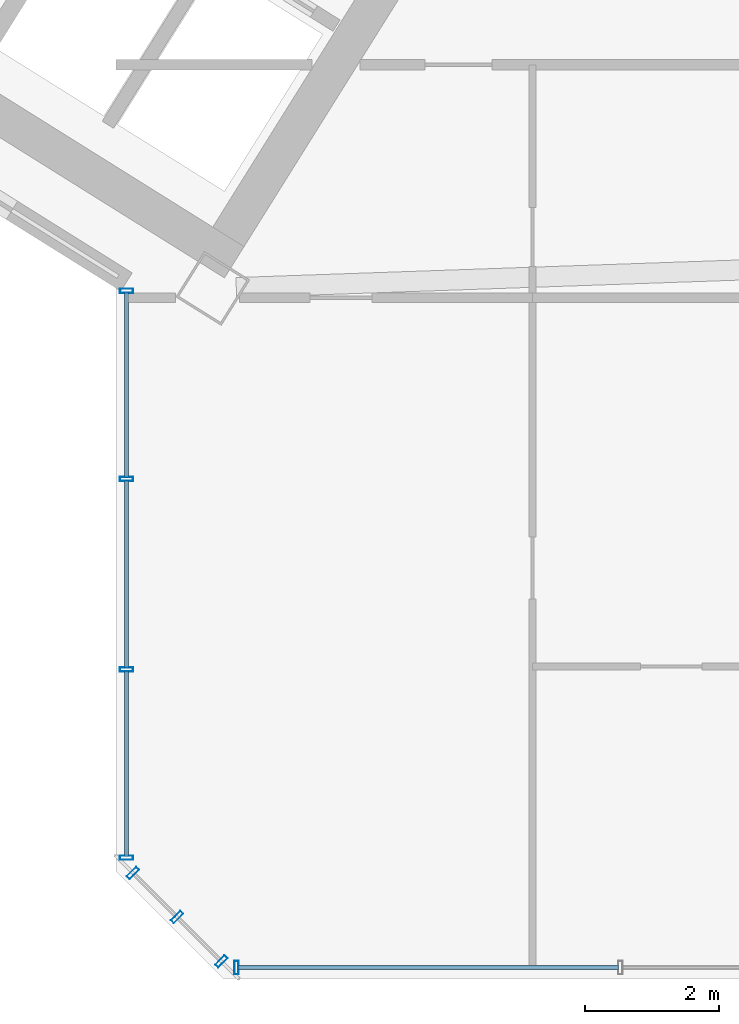
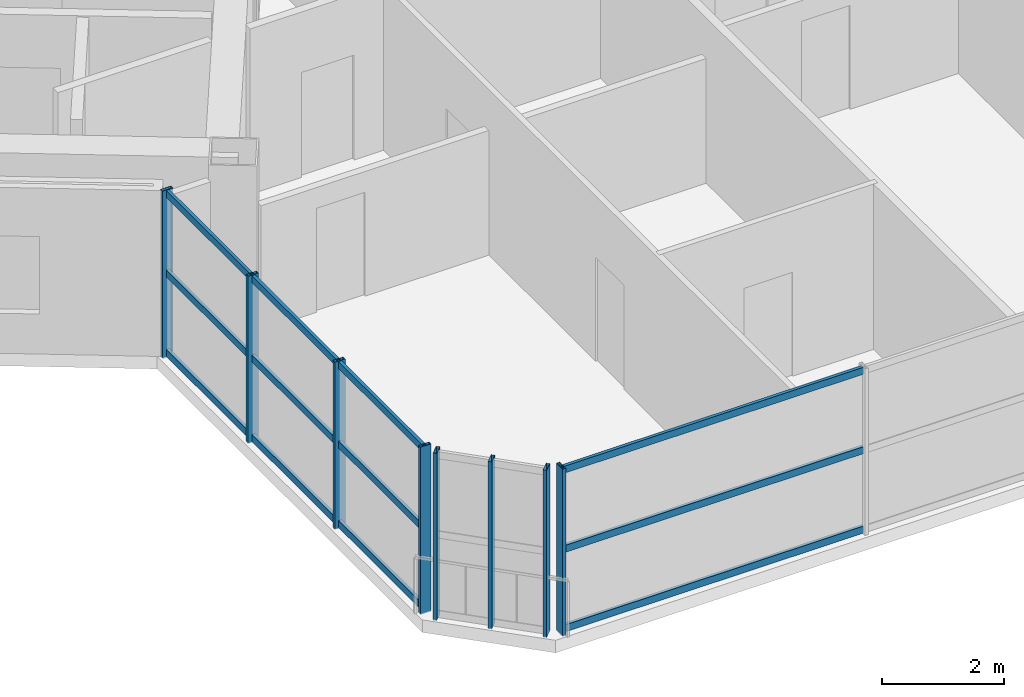
# One storey, part 4 of 21: 20 members, 3 elements without a shape of their own.
"""IFC4 building model written with IfcOpenShell, lengths in metres."""

from ifc_helpers import new_model, si_unit, direction, frame, origin, origin_2d, place, context, subcontext, project, spatial, hollow_rectangle, extrude, source, transform, mapped, material, material_profile, profile_set, type_object, element, aggregate, save


model = new_model("IFC4")

# Units and contexts
model_context = context("Model", 3, precision=1e-05, world=origin(), true_north=direction((0.0, 1.0)))
body_context = subcontext(model_context, "Body", "Model", "MODEL_VIEW")
ifc_project = project(units=[si_unit("LENGTHUNIT", "METRE"), si_unit("AREAUNIT", "SQUARE_METRE"), si_unit("VOLUMEUNIT", "CUBIC_METRE"), si_unit("PLANEANGLEUNIT", "RADIAN"), si_unit("MASSUNIT", "GRAM", prefix="KILO")], contexts=[model_context])

# Site, building, storey
site_placement = place(None, origin())
site = spatial("IfcSite", under=ifc_project, at=site_placement, CompositionType="ELEMENT")
building_placement = place(site_placement, origin())
building = spatial("IfcBuilding", under=site, at=building_placement, Name="Tlacorven Tower", CompositionType="ELEMENT")
storey_placement = place(building_placement, frame((0.0, 0.0, 191.39990234375)))
storey = spatial("IfcBuildingStorey", under=building, at=storey_placement, Name="L48", CompositionType="ELEMENT", Elevation=191.39990234375)

# Curtain wall, members
ifc_material_1 = material(Name="Dark solar low-E double glazing in aluminium frame", Category="aluminium")
curtain_wall_type = type_object("IfcCurtainWallType", Name="CW-TWR-MID", PredefinedType="USERDEFINED", material=ifc_material_1)
curtain_wall_1_placement = place(storey_placement, origin())
curtain_wall_1 = element("IfcCurtainWall", 1, at=curtain_wall_1_placement, inside=storey, type_object=curtain_wall_type, Name="L48 CW-TWR-MID Curtain Wall 221", ObjectType="UNITISED CURTAIN WALL", PredefinedType="USERDEFINED")
ifc_material_2 = material(Name="Aluminium 6063-T6 anodised", Category="aluminium")
ifc_material_profile_1 = material_profile(ifc_material_2, hollow_rectangle(XDim=0.06005859375, YDim=0.139892578125, WallThickness=0.00390625, at=origin_2d()), Name="ALU TRANSOM 60X140")
ifc_profile_set_1 = profile_set([ifc_material_profile_1], Name="Aluminium 6063-T6 anodised")
member_type_1 = type_object("IfcMemberType", Name="CWT-02", PredefinedType="USERDEFINED", material=ifc_profile_set_1)
shared_shape_1 = source(origin(), body_context, "Body", "SweptSolid", [
    extrude(hollow_rectangle(XDim=0.06005859375, YDim=0.139892578125, WallThickness=0.00390625, at=origin_2d()), origin(), (0.0, 0.0, 1.0), 5.682373046875),
])
member_1_placement = place(storey_placement, frame((39.1015625, 1.9599609375, 0.070068359375), z_axis=(-1.0, 0.0, 0.0), x_axis=(0.0, -1.0, 0.0)))
member_1 = element("IfcMember", 2, at=member_1_placement, type_object=member_type_1, Name="CW-L48-221 Transom 7", ObjectType="TRANSOM", PredefinedType="USERDEFINED", context=body_context, shape_type="MappedRepresentation", body=[
    mapped(shared_shape_1, transform((0.0, 0.0, 0.0), scale=1.0)),
])
member_2_placement = place(storey_placement, frame((39.1015625, 1.9599609375, 1.66015625), z_axis=(-1.0, 0.0, 0.0), x_axis=(0.0, -1.0, 0.0)))
member_2 = element("IfcMember", 3, at=member_2_placement, type_object=member_type_1, Name="CW-L48-221 Transom 8", ObjectType="TRANSOM", PredefinedType="USERDEFINED", context=body_context, shape_type="MappedRepresentation", body=[
    mapped(shared_shape_1, transform((0.0, 0.0, 0.0), scale=1.0)),
])
member_3_placement = place(storey_placement, frame((39.1015625, 1.9599609375, 3.25), z_axis=(-1.0, 0.0, 0.0), x_axis=(0.0, -1.0, 0.0)))
member_3 = element("IfcMember", 4, at=member_3_placement, type_object=member_type_1, Name="CW-L48-221 Transom 9", ObjectType="TRANSOM", PredefinedType="USERDEFINED", context=body_context, shape_type="MappedRepresentation", body=[
    mapped(shared_shape_1, transform((0.0, 0.0, 0.0), scale=1.0)),
])

curtain_wall_2_placement = place(storey_placement, origin())
curtain_wall_2 = element("IfcCurtainWall", 5, at=curtain_wall_2_placement, inside=storey, type_object=curtain_wall_type, Name="L48 CW-TWR-MID Curtain Wall 223", ObjectType="UNITISED CURTAIN WALL", PredefinedType="USERDEFINED")
shared_shape_2 = source(origin(), body_context, "Body", "SweptSolid", [
    extrude(hollow_rectangle(XDim=0.06005859375, YDim=0.139892578125, WallThickness=0.00390625, at=origin_2d()), origin(), (0.0, 0.0, 1.0), 2.765380859375),
])
member_4_placement = place(storey_placement, frame((31.760009765625, 3.619384765625, 0.070068359375), z_axis=(0.0, 1.0, 0.0), x_axis=(-1.0, 0.0, 0.0)))
member_4 = element("IfcMember", 6, at=member_4_placement, type_object=member_type_1, Name="CW-L48-223 Transom 1", ObjectType="TRANSOM", PredefinedType="USERDEFINED", context=body_context, shape_type="MappedRepresentation", body=[
    mapped(shared_shape_2, transform((0.0, 0.0, 0.0), scale=1.0)),
])
member_5_placement = place(storey_placement, frame((31.760009765625, 3.619384765625, 1.66015625), z_axis=(0.0, 1.0, 0.0), x_axis=(-1.0, 0.0, 0.0)))
member_5 = element("IfcMember", 7, at=member_5_placement, type_object=member_type_1, Name="CW-L48-223 Transom 2", ObjectType="TRANSOM", PredefinedType="USERDEFINED", context=body_context, shape_type="MappedRepresentation", body=[
    mapped(shared_shape_2, transform((0.0, 0.0, 0.0), scale=1.0)),
])
member_6_placement = place(storey_placement, frame((31.760009765625, 3.619384765625, 3.25), z_axis=(0.0, 1.0, 0.0), x_axis=(-1.0, 0.0, 0.0)))
member_6 = element("IfcMember", 8, at=member_6_placement, type_object=member_type_1, Name="CW-L48-223 Transom 3", ObjectType="TRANSOM", PredefinedType="USERDEFINED", context=body_context, shape_type="MappedRepresentation", body=[
    mapped(shared_shape_2, transform((0.0, 0.0, 0.0), scale=1.0)),
])
member_7_placement = place(storey_placement, frame((31.760009765625, 9.2646484375, 0.070068359375), z_axis=(0.0, 1.0, 0.0), x_axis=(-1.0, 0.0, 0.0)))
member_7 = element("IfcMember", 9, at=member_7_placement, type_object=member_type_1, Name="CW-L48-223 Transom 7", ObjectType="TRANSOM", PredefinedType="USERDEFINED", context=body_context, shape_type="MappedRepresentation", body=[
    mapped(shared_shape_2, transform((0.0, 0.0, 0.0), scale=1.0)),
])
member_8_placement = place(storey_placement, frame((31.760009765625, 9.2646484375, 1.66015625), z_axis=(0.0, 1.0, 0.0), x_axis=(-1.0, 0.0, 0.0)))
member_8 = element("IfcMember", 10, at=member_8_placement, type_object=member_type_1, Name="CW-L48-223 Transom 8", ObjectType="TRANSOM", PredefinedType="USERDEFINED", context=body_context, shape_type="MappedRepresentation", body=[
    mapped(shared_shape_2, transform((0.0, 0.0, 0.0), scale=1.0)),
])
member_9_placement = place(storey_placement, frame((31.760009765625, 9.2646484375, 3.25), z_axis=(0.0, 1.0, 0.0), x_axis=(-1.0, 0.0, 0.0)))
member_9 = element("IfcMember", 11, at=member_9_placement, type_object=member_type_1, Name="CW-L48-223 Transom 9", ObjectType="TRANSOM", PredefinedType="USERDEFINED", context=body_context, shape_type="MappedRepresentation", body=[
    mapped(shared_shape_2, transform((0.0, 0.0, 0.0), scale=1.0)),
])
shared_shape_3 = source(origin(), body_context, "Body", "SweptSolid", [
    extrude(hollow_rectangle(XDim=0.06005859375, YDim=0.139892578125, WallThickness=0.00390625, at=origin_2d()), origin(), (0.0, 0.0, 1.0), 2.7978515625),
])
member_10_placement = place(storey_placement, frame((31.760009765625, 6.42578125, 0.070068359375), z_axis=(0.0, 1.0, 0.0), x_axis=(-1.0, 0.0, 0.0)))
member_10 = element("IfcMember", 12, at=member_10_placement, type_object=member_type_1, Name="CW-L48-223 Transom 4", ObjectType="TRANSOM", PredefinedType="USERDEFINED", context=body_context, shape_type="MappedRepresentation", body=[
    mapped(shared_shape_3, transform((0.0, 0.0, 0.0), scale=1.0)),
])
member_11_placement = place(storey_placement, frame((31.760009765625, 6.42578125, 1.66015625), z_axis=(0.0, 1.0, 0.0), x_axis=(-1.0, 0.0, 0.0)))
member_11 = element("IfcMember", 13, at=member_11_placement, type_object=member_type_1, Name="CW-L48-223 Transom 5", ObjectType="TRANSOM", PredefinedType="USERDEFINED", context=body_context, shape_type="MappedRepresentation", body=[
    mapped(shared_shape_3, transform((0.0, 0.0, 0.0), scale=1.0)),
])
member_12_placement = place(storey_placement, frame((31.760009765625, 6.42578125, 3.25), z_axis=(0.0, 1.0, 0.0), x_axis=(-1.0, 0.0, 0.0)))
member_12 = element("IfcMember", 14, at=member_12_placement, type_object=member_type_1, Name="CW-L48-223 Transom 6", ObjectType="TRANSOM", PredefinedType="USERDEFINED", context=body_context, shape_type="MappedRepresentation", body=[
    mapped(shared_shape_3, transform((0.0, 0.0, 0.0), scale=1.0)),
])

# Member
ifc_material_profile_2 = material_profile(ifc_material_2, hollow_rectangle(XDim=0.06494140625, YDim=0.199951171875, WallThickness=0.00439453125, at=origin_2d()), Name="ALU MULLION 65X200")
ifc_profile_set_2 = profile_set([ifc_material_profile_2], Name="Aluminium 6063-T6 anodised")
member_type_2 = type_object("IfcMemberType", Name="CWM-02", PredefinedType="MULLION", material=ifc_profile_set_2)
shared_shape_4 = source(origin(), body_context, "Body", "SweptSolid", [
    extrude(hollow_rectangle(XDim=0.06494140625, YDim=0.199951171875, WallThickness=0.00439453125, at=origin_2d()), origin(), (0.0, 0.0, 1.0), 3.35009765625),
])
member_13_placement = place(storey_placement, frame((33.398681640625, 1.9599609375, -0.02001953125), z_axis=(0.0, 0.0, 1.0), x_axis=(-1.0, 0.0, 0.0)))
member_13 = element("IfcMember", 15, at=member_13_placement, type_object=member_type_2, Name="CW-L48-221 Mullion 4", PredefinedType="MULLION", context=body_context, shape_type="MappedRepresentation", body=[
    mapped(shared_shape_4, transform((0.0, 0.0, 0.0), scale=1.0)),
])

aggregate(curtain_wall_1, [member_13, member_1, member_2, member_3])

# Curtain wall, members
curtain_wall_3_placement = place(storey_placement, origin())
curtain_wall_3 = element("IfcCurtainWall", 16, at=curtain_wall_3_placement, inside=storey, type_object=curtain_wall_type, Name="L48 CW-TWR-MID Curtain Wall 222", ObjectType="UNITISED CURTAIN WALL", PredefinedType="USERDEFINED")
member_14_placement = place(storey_placement, frame((33.172607421875, 2.0537109375, -0.02001953125), z_axis=(0.0, 0.0, 1.0), x_axis=(-0.707106781187, 0.707106781187, 0.0)))
member_14 = element("IfcMember", 17, at=member_14_placement, type_object=member_type_2, Name="CW-L48-222 Mullion 1", PredefinedType="MULLION", context=body_context, shape_type="MappedRepresentation", body=[
    mapped(shared_shape_4, transform((0.0, 0.0, 0.0), scale=1.0)),
])
member_15_placement = place(storey_placement, frame((32.51318359375, 2.713134765625, -0.02001953125), z_axis=(0.0, 0.0, 1.0), x_axis=(-0.707106781187, 0.707106781187, 0.0)))
member_15 = element("IfcMember", 18, at=member_15_placement, type_object=member_type_2, Name="CW-L48-222 Mullion 2", PredefinedType="MULLION", context=body_context, shape_type="MappedRepresentation", body=[
    mapped(shared_shape_4, transform((0.0, 0.0, 0.0), scale=1.0)),
])
member_16_placement = place(storey_placement, frame((31.853759765625, 3.37255859375, -0.02001953125), z_axis=(0.0, 0.0, 1.0), x_axis=(-0.707106781187, 0.707106781187, 0.0)))
member_16 = element("IfcMember", 19, at=member_16_placement, type_object=member_type_2, Name="CW-L48-222 Mullion 3", PredefinedType="MULLION", context=body_context, shape_type="MappedRepresentation", body=[
    mapped(shared_shape_4, transform((0.0, 0.0, 0.0), scale=1.0)),
])
aggregate(curtain_wall_3, [member_14, member_15, member_16])

# Member
member_17_placement = place(storey_placement, frame((31.760009765625, 3.598876953125, -0.02001953125), z_axis=(0.0, 0.0, 1.0), x_axis=(0.0, 1.0, 0.0)))
member_17 = element("IfcMember", 20, at=member_17_placement, type_object=member_type_2, Name="CW-L48-223 Mullion 1", PredefinedType="MULLION", context=body_context, shape_type="MappedRepresentation", body=[
    mapped(shared_shape_4, transform((0.0, 0.0, 0.0), scale=1.0)),
])

member_18_placement = place(storey_placement, frame((31.760009765625, 6.4052734375, -0.02001953125), z_axis=(0.0, 0.0, 1.0), x_axis=(0.0, 1.0, 0.0)))
member_18 = element("IfcMember", 21, at=member_18_placement, type_object=member_type_2, Name="CW-L48-223 Mullion 2", PredefinedType="MULLION", context=body_context, shape_type="MappedRepresentation", body=[
    mapped(shared_shape_4, transform((0.0, 0.0, 0.0), scale=1.0)),
])

member_19_placement = place(storey_placement, frame((31.760009765625, 9.244140625, -0.02001953125), z_axis=(0.0, 0.0, 1.0), x_axis=(0.0, 1.0, 0.0)))
member_19 = element("IfcMember", 22, at=member_19_placement, type_object=member_type_2, Name="CW-L48-223 Mullion 3", PredefinedType="MULLION", context=body_context, shape_type="MappedRepresentation", body=[
    mapped(shared_shape_4, transform((0.0, 0.0, 0.0), scale=1.0)),
])

member_20_placement = place(storey_placement, frame((31.760009765625, 12.050537109375, -0.02001953125), z_axis=(0.0, 0.0, 1.0), x_axis=(0.0, 1.0, 0.0)))
member_20 = element("IfcMember", 23, at=member_20_placement, type_object=member_type_2, Name="CW-L48-223 Mullion 4", PredefinedType="MULLION", context=body_context, shape_type="MappedRepresentation", body=[
    mapped(shared_shape_4, transform((0.0, 0.0, 0.0), scale=1.0)),
])

aggregate(curtain_wall_2, [member_17, member_18, member_19, member_20, member_4, member_5, member_6, member_10, member_11, member_12, member_7, member_8, member_9])

save(model, "model.ifc")
